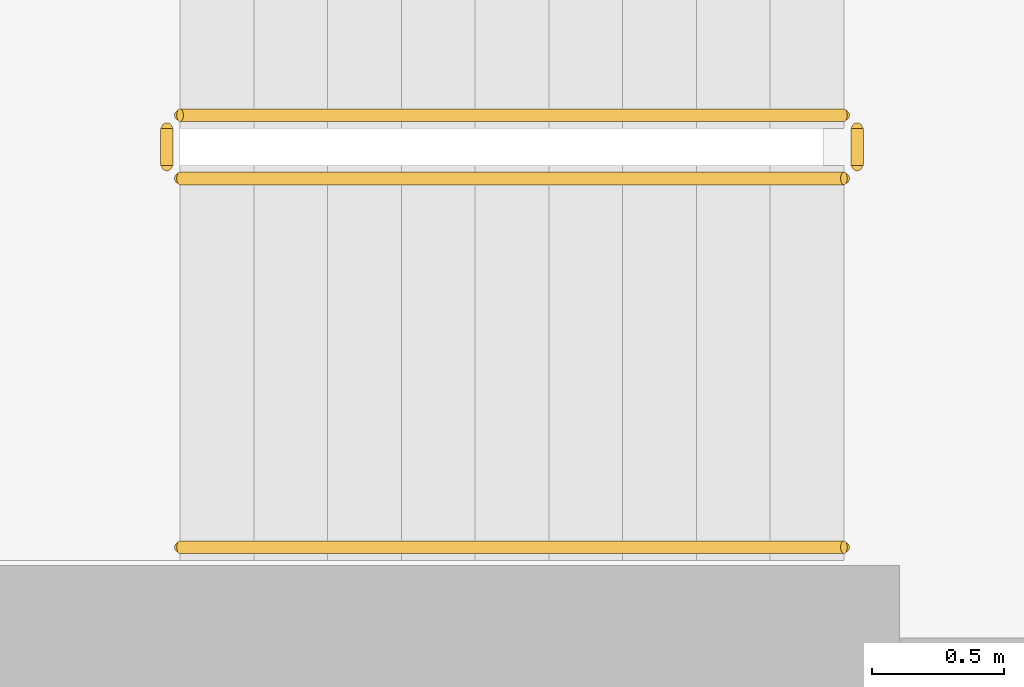
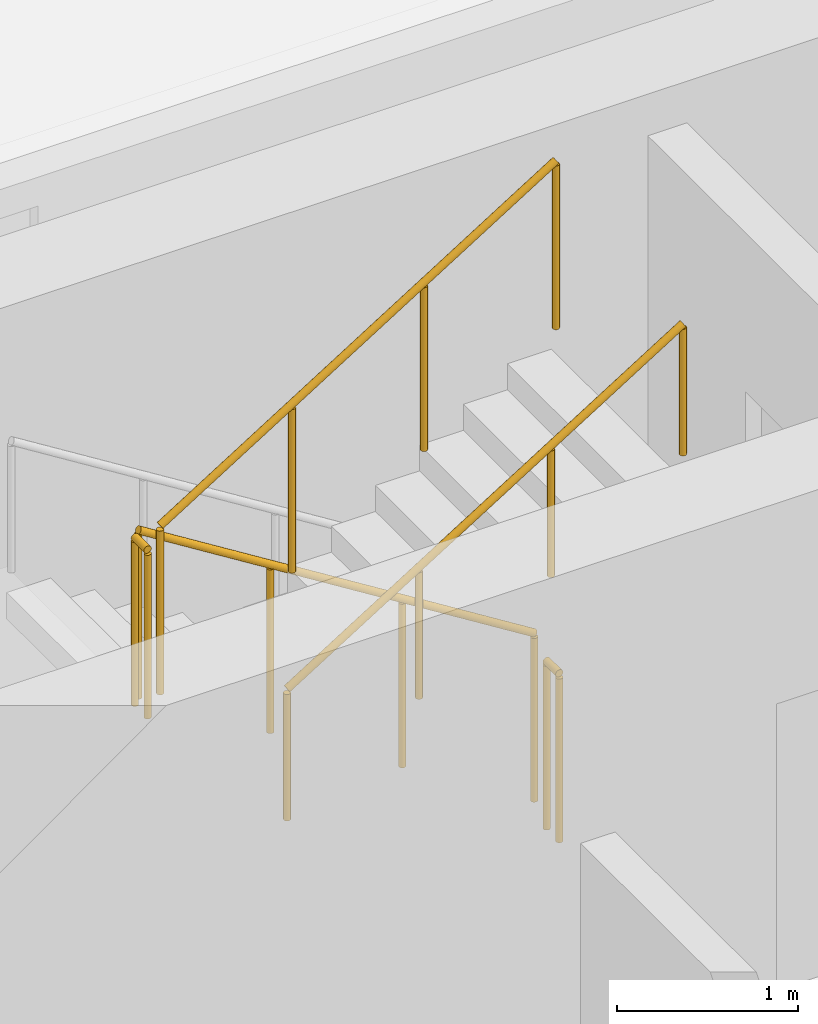
# One storey, part 23 of 25: 5 railings.
"""IFC4 building model written with IfcOpenShell, lengths in metres."""

from ifc_helpers import new_model, si_unit, derived_unit, direction, frame, origin, origin_2d, place, context, subcontext, project, spatial, circle, extrude, material, type_object, element, save


model = new_model("IFC4")

# Units and contexts
model_context = context("Model", 3, precision=1e-05, world=origin(), true_north=direction((0.0, 1.0)))
body_context = subcontext(model_context, "Body", "Model", "MODEL_VIEW")
ifc_project = project(units=[si_unit("LENGTHUNIT", "METRE"), si_unit("AREAUNIT", "SQUARE_METRE"), si_unit("VOLUMEUNIT", "CUBIC_METRE"), si_unit("PLANEANGLEUNIT", "RADIAN"), si_unit("MASSUNIT", "GRAM", prefix="KILO"), derived_unit("THERMALTRANSMITTANCEUNIT", [(si_unit("POWERUNIT", "WATT"), 1), (si_unit("LENGTHUNIT", "METRE"), -2), (si_unit("THERMODYNAMICTEMPERATUREUNIT", "KELVIN"), -1)])], contexts=[model_context])

# Site, building, storey
site_placement = place(None, origin())
site = spatial("IfcSite", under=ifc_project, at=site_placement, CompositionType="ELEMENT")
building_placement = place(site_placement, origin())
building = spatial("IfcBuilding", under=site, at=building_placement, Name="Kivonza Crest Hotel", CompositionType="ELEMENT")
storey_placement = place(building_placement, frame((0.0, 0.0, 24.0)))
storey = spatial("IfcBuildingStorey", under=building, at=storey_placement, Name="L05", CompositionType="ELEMENT", Elevation=24.0)

# Railings
ifc_material_1 = material(Name="Brushed stainless steel handrail", Category="steel")
railing_type_1 = type_object("IfcRailingType", Name="RL-HAND-900", PredefinedType="HANDRAIL", material=ifc_material_1)
railing_1_placement = place(storey_placement, frame((9.719970703125, 33.070068359375, 1.925048828125)))
element("IfcRailing", 1, at=railing_1_placement, inside=storey, type_object=railing_type_1, Name="L05 ST-T1-N stair handrail 2", PredefinedType="HANDRAIL", context=body_context, shape_type="SweptSolid", body=[
    extrude(circle(Radius=0.02392578125, at=origin_2d()), frame((0.0, 0.0, 0.8759765625), z_axis=(0.848007534815, 0.0, 0.529984170421), x_axis=(0.0, 1.0, 0.0)), (0.0, 0.0, 1.0), 2.9716796875),
    extrude(circle(Radius=0.02099609375, at=origin_2d()), origin(), (0.0, 0.0, 1.0), 0.851806640625),
    extrude(circle(Radius=0.02099609375, at=origin_2d()), frame((0.840087890625, 0.0, 0.52490234375)), (0.0, 0.0, 1.0), 0.851806640625),
    extrude(circle(Radius=0.02099609375, at=origin_2d()), frame((1.679931640625, 0.0, 1.050048828125)), (0.0, 0.0, 1.0), 0.851806640625),
    extrude(circle(Radius=0.02099609375, at=origin_2d()), frame((2.52001953125, 0.0, 1.574951171875)), (0.0, 0.0, 1.0), 0.851806640625),
])
ifc_material_2 = material(Name="Painted steel balustrade", Category="steel")
railing_type_2 = type_object("IfcRailingType", Name="RL-STAIR-1150", PredefinedType="BALUSTRADE", material=ifc_material_2)
railing_2_placement = place(storey_placement, frame((12.239990234375, 34.7099609375, 0.175048828125)))
element("IfcRailing", 2, at=railing_2_placement, inside=storey, type_object=railing_type_2, Name="L05 ST-T1-N stair guard 1", PredefinedType="BALUSTRADE", context=body_context, shape_type="SweptSolid", body=[
    extrude(circle(Radius=0.02392578125, at=origin_2d()), frame((0.0, 0.0, 1.1259765625), z_axis=(-0.848007534815, 0.0, 0.529984170421), x_axis=(0.0, -1.0, 0.0)), (0.0, 0.0, 1.0), 2.9716796875),
    extrude(circle(Radius=0.02099609375, at=origin_2d()), origin(), (0.0, 0.0, 1.0), 1.101806640625),
    extrude(circle(Radius=0.02099609375, at=origin_2d()), frame((-0.840087890625, 0.0, 0.52490234375)), (0.0, 0.0, 1.0), 1.101806640625),
    extrude(circle(Radius=0.02099609375, at=origin_2d()), frame((-1.679931640625, 0.0, 1.050048828125)), (0.0, 0.0, 1.0), 1.101806640625),
    extrude(circle(Radius=0.02099609375, at=origin_2d()), frame((-2.52001953125, 0.0, 1.574951171875)), (0.0, 0.0, 1.0), 1.101806640625),
])
railing_3_placement = place(storey_placement, frame((9.669921875, 34.659912109375, 1.75)))
element("IfcRailing", 3, at=railing_3_placement, inside=storey, type_object=railing_type_2, Name="L05 ST-T1-N stair guard 2", PredefinedType="BALUSTRADE", context=body_context, shape_type="SweptSolid", body=[
    extrude(circle(Radius=0.02392578125, at=origin_2d()), frame((0.0, 0.0, 1.1259765625), z_axis=(0.0, -1.0, 0.0), x_axis=(1.0, 0.0, 0.0)), (0.0, 0.0, 1.0), 0.139892578125),
    extrude(circle(Radius=0.02099609375, at=origin_2d()), origin(), (0.0, 0.0, 1.0), 1.101806640625),
    extrude(circle(Radius=0.02099609375, at=origin_2d()), frame((0.0, -0.139892578125, 0.0)), (0.0, 0.0, 1.0), 1.101806640625),
])
railing_4_placement = place(storey_placement, frame((9.719970703125, 34.469970703125, 1.925048828125)))
element("IfcRailing", 4, at=railing_4_placement, inside=storey, type_object=railing_type_2, Name="L05 ST-T1-N stair guard 3", PredefinedType="BALUSTRADE", context=body_context, shape_type="SweptSolid", body=[
    extrude(circle(Radius=0.02392578125, at=origin_2d()), frame((0.0, 0.0, 1.1259765625), z_axis=(0.848007534815, 0.0, 0.529984170421), x_axis=(0.0, 1.0, 0.0)), (0.0, 0.0, 1.0), 2.9716796875),
    extrude(circle(Radius=0.02099609375, at=origin_2d()), origin(), (0.0, 0.0, 1.0), 1.101806640625),
    extrude(circle(Radius=0.02099609375, at=origin_2d()), frame((0.840087890625, 0.0, 0.52490234375)), (0.0, 0.0, 1.0), 1.101806640625),
    extrude(circle(Radius=0.02099609375, at=origin_2d()), frame((1.679931640625, 0.0, 1.050048828125)), (0.0, 0.0, 1.0), 1.101806640625),
    extrude(circle(Radius=0.02099609375, at=origin_2d()), frame((2.52001953125, 0.0, 1.574951171875)), (0.0, 0.0, 1.0), 1.101806640625),
])
railing_5_placement = place(storey_placement, frame((12.2900390625, 34.659912109375, 0.0)))
element("IfcRailing", 5, at=railing_5_placement, inside=storey, type_object=railing_type_2, Name="L05 ST-T1-N stair guard 4", PredefinedType="BALUSTRADE", context=body_context, shape_type="SweptSolid", body=[
    extrude(circle(Radius=0.02392578125, at=origin_2d()), frame((0.0, 0.0, 1.1259765625), z_axis=(0.0, -1.0, 0.0), x_axis=(1.0, 0.0, 0.0)), (0.0, 0.0, 1.0), 0.139892578125),
    extrude(circle(Radius=0.02099609375, at=origin_2d()), origin(), (0.0, 0.0, 1.0), 1.101806640625),
    extrude(circle(Radius=0.02099609375, at=origin_2d()), frame((0.0, -0.139892578125, 0.0)), (0.0, 0.0, 1.0), 1.101806640625),
])

save(model, "model.ifc")
